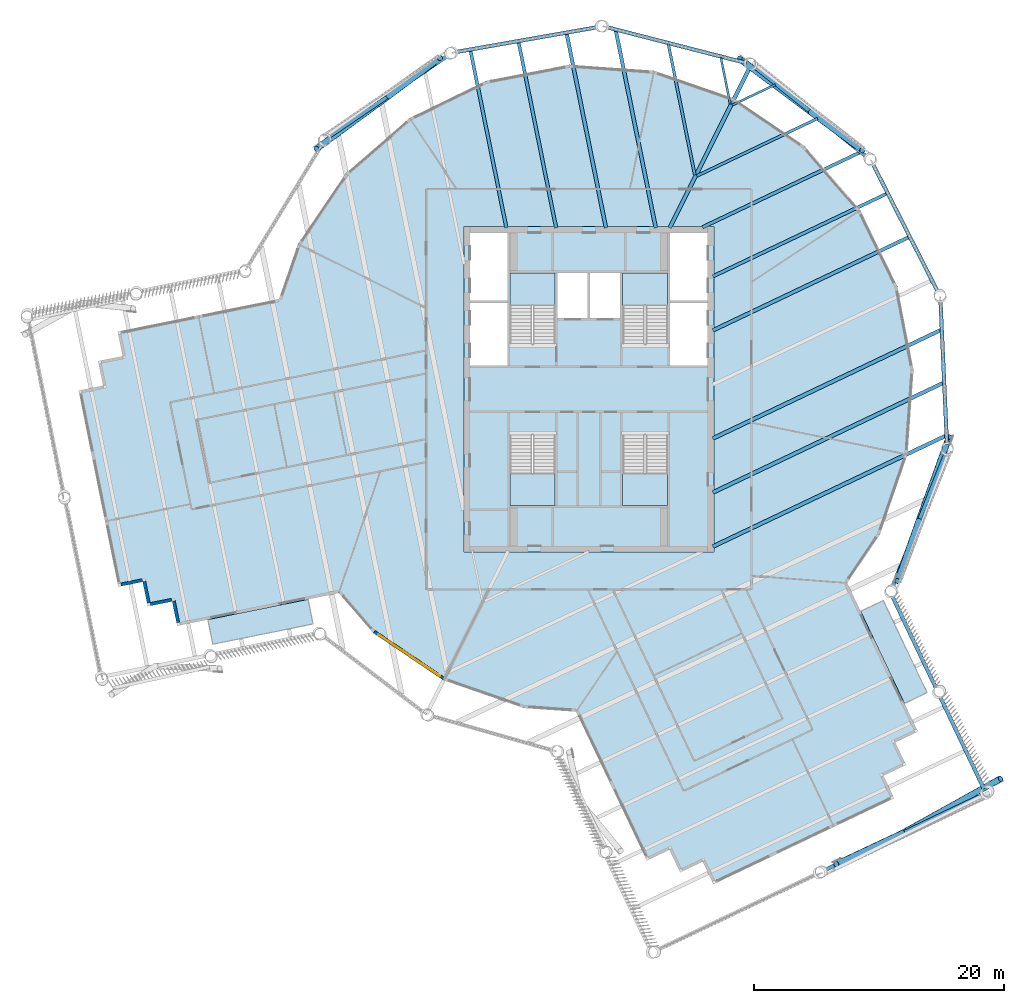
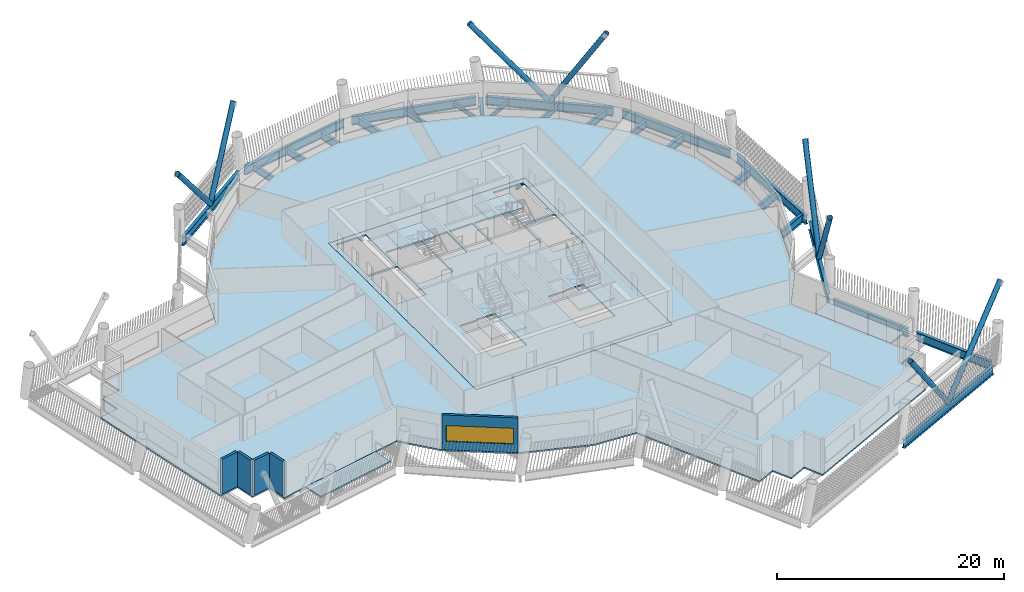
# One storey, part 2 of 21: 25 beams, 8 members, 8 slabs, 5 walls, 1 window, 1 opening, 4 elements without a shape of their own.
"""IFC4 building model written with IfcOpenShell, lengths in metres."""

from ifc_helpers import new_model, si_unit, direction, frame, frame_2d, origin, origin_2d, place, context, subcontext, project, spatial, polyline, rectangle, hollow_circle, i_section, outline, extrude, material, layer, layer_set, material_profile, profile_set, type_object, element, fill, aggregate, save


model = new_model("IFC4")

# Units and contexts
model_context = context("Model", 3, precision=1e-05, world=origin(), true_north=direction((0.0, 1.0)))
body_context = subcontext(model_context, "Body", "Model", "MODEL_VIEW")
ifc_project = project(units=[si_unit("LENGTHUNIT", "METRE"), si_unit("AREAUNIT", "SQUARE_METRE"), si_unit("VOLUMEUNIT", "CUBIC_METRE"), si_unit("PLANEANGLEUNIT", "RADIAN"), si_unit("MASSUNIT", "GRAM", prefix="KILO")], contexts=[model_context])

# Site, building, storey
site_placement = place(None, origin())
site = spatial("IfcSite", under=ifc_project, at=site_placement, CompositionType="ELEMENT")
building_placement = place(site_placement, origin())
building = spatial("IfcBuilding", under=site, at=building_placement, Name="Tarsis Ring Headquarters", CompositionType="ELEMENT")
storey_placement = place(building_placement, frame((0.0, 0.0, 331.39990234375)))
storey = spatial("IfcBuildingStorey", under=building, at=storey_placement, Name="L78", CompositionType="ELEMENT", Elevation=331.39990234375)

# Beams
ifc_material_1 = material(Name="Structural steel S355", Category="steel")
ifc_material_profile_1 = material_profile(ifc_material_1, i_section(OverallWidth=0.177734375, OverallDepth=0.406494140625, WebThickness=0.0078125, FlangeThickness=0.0126953125, at=origin_2d()), Name="W16x40")
ifc_profile_set_1 = profile_set([ifc_material_profile_1], Name="Structural steel S355")
beam_type_1 = type_object("IfcBeamType", Name="FB Floor beam W16x40", PredefinedType="JOIST", material=ifc_profile_set_1)
for number, where, z_axis, x_axis, name in (
    (1, (11.466796875, 22.729736328125, -0.363037109375), (0.903044257275, 0.429547517048, 0.0), (-0.429547517048, 0.903044257275, 0.0), "Floor beam FB1"),
    (2, (10.544921875, 26.542724609375, -0.363037109375), (0.198385923076, -0.980123984772, 0.0), (0.980123984772, 0.198385923076, 0.0), "Floor beam FB1"),
):
    element("IfcBeam", number, at=place(storey_placement, frame(where, z_axis=z_axis, x_axis=x_axis)), inside=storey, type_object=beam_type_1, Name=name, PredefinedType="JOIST", context=body_context, shape_type="SweptSolid", body=[
        extrude(i_section(OverallWidth=0.177734375, OverallDepth=0.406494140625, WebThickness=0.0078125, FlangeThickness=0.0126953125, at=origin_2d()), origin(), (0.0, 0.0, 1.0), 3.80517578125),
    ])
ifc_material_profile_2 = material_profile(ifc_material_1, i_section(OverallWidth=0.228271484375, OverallDepth=0.607177734375, WebThickness=0.01123046875, FlangeThickness=0.017333984375, at=origin_2d()), Name="W24x76")
ifc_profile_set_2 = profile_set([ifc_material_profile_2], Name="Structural steel S355")
beam_type_2 = type_object("IfcBeamType", Name="FB Floor beam W24x76", PredefinedType="JOIST", material=ifc_profile_set_2)
for number, where, z_axis, x_axis, name in (
    (3, (8.63427734375, 17.0634765625, -0.46337890625), (0.903033611573, 0.429569896955, 0.0), (-0.429569896955, 0.903033611573, 0.0), "Floor beam FB4"),
    (4, (6.347900390625, 27.619384765625, -0.46337890625), (0.198356633029, -0.980129912886, 0.0), (0.980129912886, 0.198356633029, 0.0), "Floor beam FB4"),
):
    element("IfcBeam", number, at=place(storey_placement, frame(where, z_axis=z_axis, x_axis=x_axis)), inside=storey, type_object=beam_type_2, Name=name, PredefinedType="JOIST", context=body_context, shape_type="SweptSolid", body=[
        extrude(i_section(OverallWidth=0.228271484375, OverallDepth=0.607177734375, WebThickness=0.01123046875, FlangeThickness=0.017333984375, at=origin_2d()), origin(), (0.0, 0.0, 1.0), 10.684814453125),
    ])
ifc_material_profile_3 = material_profile(ifc_material_1, i_section(OverallWidth=0.2666015625, OverallDepth=0.7568359375, WebThickness=0.013916015625, FlangeThickness=0.019287109375, at=origin_2d()), Name="W30x108")
ifc_profile_set_3 = profile_set([ifc_material_profile_3], Name="Structural steel S355")
beam_type_3 = type_object("IfcBeamType", Name="FB Floor beam W30x108", PredefinedType="JOIST", material=ifc_profile_set_3)
beam_1_placement = place(storey_placement, frame((9.08056640625, 12.95703125, -0.538330078125), z_axis=(0.903036632274, 0.429563546836, 0.0), x_axis=(-0.429563546836, 0.903036632274, 0.0)))
element("IfcBeam", 5, at=beam_1_placement, inside=storey, type_object=beam_type_3, Name="Floor beam FB6", PredefinedType="JOIST", context=body_context, shape_type="SweptSolid", body=[
    extrude(i_section(OverallWidth=0.2666015625, OverallDepth=0.7568359375, WebThickness=0.013916015625, FlangeThickness=0.019287109375, at=origin_2d()), origin(), (0.0, 0.0, 1.0), 13.93359375),
])
beam_2_placement = place(storey_placement, frame((9.90966796875, 9.03271484375, -0.538330078125), z_axis=(0.903038669812, 0.429559263459, 0.0), x_axis=(-0.429559263459, 0.903038669812, 0.0)))
element("IfcBeam", 6, at=beam_2_placement, inside=storey, type_object=beam_type_3, Name="Floor beam FB6", PredefinedType="JOIST", context=body_context, shape_type="SweptSolid", body=[
    extrude(i_section(OverallWidth=0.2666015625, OverallDepth=0.7568359375, WebThickness=0.013916015625, FlangeThickness=0.019287109375, at=origin_2d()), origin(), (0.0, 0.0, 1.0), 15.419921875),
])
beam_3_placement = place(storey_placement, frame((-5.623046875, 27.786865234375, -0.538330078125), z_axis=(0.198347740909, -0.980131712412, 0.0), x_axis=(0.980131712412, 0.198347740909, 0.0)))
element("IfcBeam", 7, at=beam_3_placement, inside=storey, type_object=beam_type_3, Name="Floor beam FB6", PredefinedType="JOIST", context=body_context, shape_type="SweptSolid", body=[
    extrude(i_section(OverallWidth=0.2666015625, OverallDepth=0.7568359375, WebThickness=0.013916015625, FlangeThickness=0.019287109375, at=origin_2d()), origin(), (0.0, 0.0, 1.0), 15.1865234375),
])
beam_4_placement = place(storey_placement, frame((-9.465576171875, 27.112548828125, -0.538330078125), z_axis=(0.198346797401, -0.980131903348, 0.0), x_axis=(0.980131903348, 0.198346797401, 0.0)))
element("IfcBeam", 8, at=beam_4_placement, inside=storey, type_object=beam_type_3, Name="Floor beam FB6", PredefinedType="JOIST", context=body_context, shape_type="SweptSolid", body=[
    extrude(i_section(OverallWidth=0.2666015625, OverallDepth=0.7568359375, WebThickness=0.013916015625, FlangeThickness=0.019287109375, at=origin_2d()), origin(), (0.0, 0.0, 1.0), 14.49853515625),
])
ifc_material_profile_4 = material_profile(ifc_material_1, i_section(OverallWidth=0.2919921875, OverallDepth=0.835693359375, WebThickness=0.013916015625, FlangeThickness=0.018798828125, at=origin_2d()), Name="W33x118")
ifc_profile_set_4 = profile_set([ifc_material_profile_4], Name="Structural steel S355")
beam_type_4 = type_object("IfcBeamType", Name="FB Floor beam W33x118", PredefinedType="JOIST", material=ifc_profile_set_4)
beam_5_placement = place(storey_placement, frame((9.90966796875, 4.7138671875, -0.57763671875), z_axis=(0.903033411053, 0.429570318483, 0.0), x_axis=(-0.429570318483, 0.903033411053, 0.0)))
element("IfcBeam", 9, at=beam_5_placement, inside=storey, type_object=beam_type_4, Name="Floor beam FB7", PredefinedType="JOIST", context=body_context, shape_type="SweptSolid", body=[
    extrude(i_section(OverallWidth=0.2919921875, OverallDepth=0.835693359375, WebThickness=0.013916015625, FlangeThickness=0.018798828125, at=origin_2d()), origin(), (0.0, 0.0, 1.0), 17.376220703125),
])
beam_6_placement = place(storey_placement, frame((2.151123046875, 28.6962890625, -0.57763671875), z_axis=(0.198335769866, -0.980134134898, 0.0), x_axis=(0.980134134898, 0.198335769866, 0.0)))
element("IfcBeam", 10, at=beam_6_placement, inside=storey, type_object=beam_type_4, Name="Floor beam FB7", PredefinedType="JOIST", context=body_context, shape_type="SweptSolid", body=[
    extrude(i_section(OverallWidth=0.2919921875, OverallDepth=0.835693359375, WebThickness=0.013916015625, FlangeThickness=0.018798828125, at=origin_2d()), origin(), (0.0, 0.0, 1.0), 16.1142578125),
])
beam_7_placement = place(storey_placement, frame((-1.780517578125, 28.461181640625, -0.57763671875), z_axis=(0.198348602635, -0.980131538026, 0.0), x_axis=(0.980131538026, 0.198348602635, 0.0)))
element("IfcBeam", 11, at=beam_7_placement, inside=storey, type_object=beam_type_4, Name="Floor beam FB7", PredefinedType="JOIST", context=body_context, shape_type="SweptSolid", body=[
    extrude(i_section(OverallWidth=0.2919921875, OverallDepth=0.835693359375, WebThickness=0.013916015625, FlangeThickness=0.018798828125, at=origin_2d()), origin(), (0.0, 0.0, 1.0), 15.87451171875),
])
ifc_material_profile_5 = material_profile(ifc_material_1, i_section(OverallWidth=0.3046875, OverallDepth=0.904296875, WebThickness=0.01513671875, FlangeThickness=0.02001953125, at=origin_2d()), Name="W36x135")
ifc_profile_set_5 = profile_set([ifc_material_profile_5], Name="Structural steel S355")
beam_type_5 = type_object("IfcBeamType", Name="FB Floor beam W36x135", PredefinedType="JOIST", material=ifc_profile_set_5)
beam_8_placement = place(storey_placement, frame((9.90966796875, -3.923583984375, -0.612060546875), z_axis=(0.903038308634, 0.429560022744, 0.0), x_axis=(-0.429560022744, 0.903038308634, 0.0)))
element("IfcBeam", 12, at=beam_8_placement, inside=storey, type_object=beam_type_5, Name="Floor beam FB8", PredefinedType="JOIST", context=body_context, shape_type="SweptSolid", body=[
    extrude(i_section(OverallWidth=0.3046875, OverallDepth=0.904296875, WebThickness=0.01513671875, FlangeThickness=0.02001953125, at=origin_2d()), origin(), (0.0, 0.0, 1.0), 20.19580078125),
])
beam_9_placement = place(storey_placement, frame((9.90966796875, -8.242431640625, -0.612060546875), z_axis=(0.903036027521, 0.429564818158, 0.0), x_axis=(-0.429564818158, 0.903036027521, 0.0)))
element("IfcBeam", 13, at=beam_9_placement, inside=storey, type_object=beam_type_5, Name="Floor beam FB8", PredefinedType="JOIST", context=body_context, shape_type="SweptSolid", body=[
    extrude(i_section(OverallWidth=0.3046875, OverallDepth=0.904296875, WebThickness=0.01513671875, FlangeThickness=0.02001953125, at=origin_2d()), origin(), (0.0, 0.0, 1.0), 20.406982421875),
])
beam_10_placement = place(storey_placement, frame((9.90966796875, -12.56103515625, -0.612060546875), z_axis=(0.903035978109, 0.429564922032, 0.0), x_axis=(-0.429564922032, 0.903035978109, 0.0)))
element("IfcBeam", 14, at=beam_10_placement, inside=storey, type_object=beam_type_5, Name="Floor beam FB8", PredefinedType="JOIST", context=body_context, shape_type="SweptSolid", body=[
    extrude(i_section(OverallWidth=0.3046875, OverallDepth=0.904296875, WebThickness=0.01513671875, FlangeThickness=0.02001953125, at=origin_2d()), origin(), (0.0, 0.0, 1.0), 20.618408203125),
])
ifc_material_profile_6 = material_profile(ifc_material_1, i_section(OverallWidth=0.309814453125, OverallDepth=0.949951171875, WebThickness=0.0244140625, FlangeThickness=0.0439453125, at=origin_2d()), Name="W36x256")
ifc_profile_set_6 = profile_set([ifc_material_profile_6], Name="Structural steel S355")
beam_type_6 = type_object("IfcBeamType", Name="FB Floor beam W36x256 spine", PredefinedType="BEAM", material=ifc_profile_set_6)
beam_11_placement = place(storey_placement, frame((12.96240234375, 25.9306640625, -0.635009765625), z_axis=(-0.447133086587, -0.894467440927, 0.0), x_axis=(0.894467440927, -0.447133086587, 0.0)))
element("IfcBeam", 15, at=beam_11_placement, inside=storey, type_object=beam_type_6, Name="Floor beam SB11", PredefinedType="BEAM", context=body_context, shape_type="SweptSolid", body=[
    extrude(i_section(OverallWidth=0.309814453125, OverallDepth=0.949951171875, WebThickness=0.0244140625, FlangeThickness=0.0439453125, at=origin_2d()), origin(), (0.0, 0.0, 1.0), 14.55615234375),
])

# Members
ifc_material_profile_7 = material_profile(ifc_material_1, hollow_circle(Radius=0.25390625, WallThickness=0.02001953125, at=origin_2d()), Name="CHS 508x20")
ifc_profile_set_7 = profile_set([ifc_material_profile_7], Name="Structural steel S355")
member_type = type_object("IfcMemberType", Name="XD X brace CHS 508x20", PredefinedType="BRACE", material=ifc_profile_set_7)
member_1_placement = place(storey_placement, frame((25.06787109375, -35.47119140625, 0.0), z_axis=(0.659351045326, 0.366356368387, 0.65653576473), x_axis=(-0.485693818812, 0.874129003276, 0.0)))
element("IfcMember", 16, at=member_1_placement, inside=storey, type_object=member_type, Name="X brace XD2", PredefinedType="BRACE", context=body_context, shape_type="SweptSolid", body=[
    extrude(hollow_circle(Radius=0.25390625, WallThickness=0.02001953125, at=origin_2d()), origin(), (0.0, 0.0, 1.0), 11.880615234375),
])
member_2_placement = place(storey_placement, frame((25.06787109375, -35.47119140625, 0.0), z_axis=(-0.54285340547, -0.255034658727, 0.80016717192), x_axis=(0.425215775157, -0.905092008891, 0.0)))
element("IfcMember", 17, at=member_2_placement, inside=storey, type_object=member_type, Name="X brace XD2", PredefinedType="BRACE", context=body_context, shape_type="SweptSolid", body=[
    extrude(hollow_circle(Radius=0.25390625, WallThickness=0.02001953125, at=origin_2d()), origin(), (0.0, 0.0, 1.0), 9.748046875),
])
member_3_placement = place(storey_placement, frame((26.37255859375, -10.526123046875, 0.0), z_axis=(0.229295740641, 0.635897220976, 0.7369248182), x_axis=(-0.940711551707, 0.339207571385, 0.0)))
element("IfcMember", 18, at=member_3_placement, inside=storey, type_object=member_type, Name="X brace XD2", PredefinedType="BRACE", context=body_context, shape_type="SweptSolid", body=[
    extrude(hollow_circle(Radius=0.25390625, WallThickness=0.02001953125, at=origin_2d()), origin(), (0.0, 0.0, 1.0), 10.58447265625),
])
member_4_placement = place(storey_placement, frame((26.37255859375, -10.526123046875, 0.0), z_axis=(-0.182239043208, -0.515531558525, 0.837267068082), x_axis=(0.942825643355, -0.333286372707, 0.0)))
element("IfcMember", 19, at=member_4_placement, inside=storey, type_object=member_type, Name="X brace XD2", PredefinedType="BRACE", context=body_context, shape_type="SweptSolid", body=[
    extrude(hollow_circle(Radius=0.25390625, WallThickness=0.02001953125, at=origin_2d()), origin(), (0.0, 0.0, 1.0), 9.316162109375),
])
member_5_placement = place(storey_placement, frame((17.76611328125, 22.151123046875, 0.0), z_axis=(-0.541259812652, 0.404941501361, 0.73692618062), x_axis=(-0.599049614508, -0.800711907841, 0.0)))
element("IfcMember", 20, at=member_5_placement, inside=storey, type_object=member_type, Name="X brace XD2", PredefinedType="BRACE", context=body_context, shape_type="SweptSolid", body=[
    extrude(hollow_circle(Radius=0.25390625, WallThickness=0.02001953125, at=origin_2d()), origin(), (0.0, 0.0, 1.0), 10.58447265625),
])
member_6_placement = place(storey_placement, frame((17.76611328125, 22.151123046875, 0.0), z_axis=(0.439877268704, -0.324778015553, 0.837273688283), x_axis=(0.593978609847, 0.804480833236, 0.0)))
element("IfcMember", 21, at=member_6_placement, inside=storey, type_object=member_type, Name="X brace XD2", PredefinedType="BRACE", context=body_context, shape_type="SweptSolid", body=[
    extrude(hollow_circle(Radius=0.25390625, WallThickness=0.02001953125, at=origin_2d()), origin(), (0.0, 0.0, 1.0), 9.31591796875),
])
member_7_placement = place(storey_placement, frame((-16.0, 23.45849609375, 0.0), z_axis=(-0.545310633595, -0.399491590131, 0.736914365651), x_axis=(0.590976035789, -0.806689113056, 0.0)))
element("IfcMember", 22, at=member_7_placement, inside=storey, type_object=member_type, Name="X brace XD2", PredefinedType="BRACE", context=body_context, shape_type="SweptSolid", body=[
    extrude(hollow_circle(Radius=0.25390625, WallThickness=0.02001953125, at=origin_2d()), origin(), (0.0, 0.0, 1.0), 10.584716796875),
])
member_8_placement = place(storey_placement, frame((-16.0, 23.45849609375, 0.0), z_axis=(0.439039498079, 0.325905521287, 0.837275289449), x_axis=(-0.596043350355, 0.802952255428, 0.0)))
element("IfcMember", 23, at=member_8_placement, inside=storey, type_object=member_type, Name="X brace XD2", PredefinedType="BRACE", context=body_context, shape_type="SweptSolid", body=[
    extrude(hollow_circle(Radius=0.25390625, WallThickness=0.02001953125, at=origin_2d()), origin(), (0.0, 0.0, 1.0), 9.31591796875),
])

# Beams
ifc_material_profile_8 = material_profile(ifc_material_1, i_section(OverallWidth=0.309814453125, OverallDepth=0.93212890625, WebThickness=0.02099609375, FlangeThickness=0.034423828125, at=origin_2d()), Name="W36x210")
ifc_profile_set_8 = profile_set([ifc_material_profile_8], Name="Structural steel S355")
beam_type_7 = type_object("IfcBeamType", Name="XG Ring girder W36x210", PredefinedType="BEAM", material=ifc_profile_set_8)
beam_12_placement = place(storey_placement, frame((18.777587890625, -38.46337890625, -0.466064453125), z_axis=(0.903037954455, 0.429560767312, 0.0), x_axis=(-0.429560767312, 0.903037954455, 0.0)))
element("IfcBeam", 24, at=beam_12_placement, inside=storey, type_object=beam_type_7, Name="Ring girder XG3", PredefinedType="BEAM", context=body_context, shape_type="SweptSolid", body=[
    extrude(i_section(OverallWidth=0.309814453125, OverallDepth=0.93212890625, WebThickness=0.02099609375, FlangeThickness=0.034423828125, at=origin_2d()), origin(), (0.0, 0.0, 1.0), 13.931396484375),
])
for number, where, z_axis, x_axis, name in (
    (25, (31.563720703125, -31.900146484375, -0.466064453125), (-0.429561955209, 0.90303738939, 0.0), (-0.90303738939, -0.429561955209, 0.0), "Ring girder XG3"),
    (26, (27.73974609375, -23.861083984375, -0.466064453125), (-0.429561955209, 0.90303738939, 0.0), (-0.90303738939, -0.429561955209, 0.0), "Ring girder XG3"),
):
    element("IfcBeam", number, at=place(storey_placement, frame(where, z_axis=z_axis, x_axis=x_axis)), inside=storey, type_object=beam_type_7, Name=name, PredefinedType="BEAM", context=body_context, shape_type="SweptSolid", body=[
        extrude(i_section(OverallWidth=0.309814453125, OverallDepth=0.93212890625, WebThickness=0.02099609375, FlangeThickness=0.034423828125, at=origin_2d()), origin(), (0.0, 0.0, 1.0), 8.03369140625),
    ])
for number, where, z_axis, x_axis, name in (
    (27, (24.26318359375, -15.810791015625, -0.466064453125), (0.370691489562, 0.928756060312, 0.0), (-0.928756060312, 0.370691489562, 0.0), "Ring girder XG3"),
    (28, (28.623291015625, -4.404296875, -0.466064453125), (-0.045094311453, 0.998982734122, 0.0), (-0.998982734122, -0.045094311453, 0.0), "Ring girder XG3"),
    (29, (27.893798828125, 7.785400390625, -0.466064453125), (-0.452834056577, 0.891594816721, 0.0), (-0.891594816721, -0.452834056577, 0.0), "Ring girder XG3"),
    (30, (22.205078125, 18.591064453125, -0.466064453125), (-0.780097998367, 0.625657344674, 0.0), (-0.625657344674, -0.780097998367, 0.0), "Ring girder XG3"),
    (31, (12.56787109375, 26.0908203125, -0.466064453125), (-0.968628652594, 0.248512642281, 0.0), (-0.248512642281, -0.968628652594, 0.0), "Ring girder XG3"),
):
    element("IfcBeam", number, at=place(storey_placement, frame(where, z_axis=z_axis, x_axis=x_axis)), inside=storey, type_object=beam_type_7, Name=name, PredefinedType="BEAM", context=body_context, shape_type="SweptSolid", body=[
        extrude(i_section(OverallWidth=0.309814453125, OverallDepth=0.93212890625, WebThickness=0.02099609375, FlangeThickness=0.034423828125, at=origin_2d()), origin(), (0.0, 0.0, 1.0), 11.380126953125),
    ])
beam_13_placement = place(storey_placement, frame((0.6962890625, 28.95166015625, -0.466064453125), z_axis=(-0.984948760059, -0.172846579539, 0.0), x_axis=(0.172846579539, -0.984948760059, 0.0)))
element("IfcBeam", 32, at=beam_13_placement, inside=storey, type_object=beam_type_7, Name="Ring girder XG3", PredefinedType="BEAM", context=body_context, shape_type="SweptSolid", body=[
    extrude(i_section(OverallWidth=0.309814453125, OverallDepth=0.93212890625, WebThickness=0.02099609375, FlangeThickness=0.034423828125, at=origin_2d()), origin(), (0.0, 0.0, 1.0), 11.38037109375),
])
beam_14_placement = place(storey_placement, frame((-11.29931640625, 26.664794921875, -0.466064453125), z_axis=(-0.826138827076, -0.563466625806, 0.0), x_axis=(0.563466625806, -0.826138827076, 0.0)))
element("IfcBeam", 33, at=beam_14_placement, inside=storey, type_object=beam_type_7, Name="Ring girder XG3", PredefinedType="BEAM", context=body_context, shape_type="SweptSolid", body=[
    extrude(i_section(OverallWidth=0.309814453125, OverallDepth=0.93212890625, WebThickness=0.02099609375, FlangeThickness=0.034423828125, at=origin_2d()), origin(), (0.0, 0.0, 1.0), 11.380126953125),
])

# Slabs
ifc_material_2 = material(Name="Concrete C40/50", Category="concrete")
ifc_layer_1 = layer(ifc_material_2, 0.159912109375)
ifc_layer_set_1 = layer_set([ifc_layer_1], Name="Balcony slab concrete C40/50")
slab_type_1 = type_object("IfcSlabType", Name="Balcony slab concrete C40/50", PredefinedType="FLOOR", material=ifc_layer_set_1)
slab_1_placement = place(storey_placement, frame((0.0, 0.0, -0.159912109375)))
element("IfcSlab", 34, at=slab_1_placement, inside=storey, type_object=slab_type_1, Name="Balcony slab L78-01", PredefinedType="FLOOR", context=body_context, shape_type="SweptSolid", body=[
    extrude(outline(polyline([(-30.454345703125, -18.406005859375), (-30.0576171875, -20.3662109375), (-22.048095703125, -18.745361328125), (-22.44482421875, -16.78515625), (-30.454345703125, -18.406005859375)])), origin(), (0.0, 0.0, 1.0), 0.159912109375),
])
slab_2_placement = place(storey_placement, frame((0.0, 0.0, -0.159912109375)))
element("IfcSlab", 35, at=slab_2_placement, inside=storey, type_object=slab_type_1, Name="Balcony slab L78-16", PredefinedType="FLOOR", context=body_context, shape_type="SweptSolid", body=[
    extrude(outline(polyline([(25.226806640625, -25.096923828125), (27.032958984375, -24.23779296875), (23.531494140625, -16.876953125), (21.725341796875, -17.736083984375), (25.226806640625, -25.096923828125)])), origin(), (0.0, 0.0, 1.0), 0.159912109375),
])
ifc_layer_2 = layer(ifc_material_2, 0.159912109375)
ifc_layer_set_2 = layer_set([ifc_layer_2], Name="Core floor slab 160 C40/50")
slab_type_2 = type_object("IfcSlabType", Name="Core floor slab 160 C40/50", PredefinedType="FLOOR", material=ifc_layer_set_2)
slab_3_placement = place(storey_placement, frame((0.0, 0.0, -0.159912109375)))
element("IfcSlab", 36, at=slab_3_placement, inside=storey, type_object=slab_type_2, Name="L78 core floor slab", PredefinedType="FLOOR", context=body_context, shape_type="SweptSolid", body=[
    extrude(outline(polyline([(-10.0, -13.0), (10.0, -13.0), (10.0, 13.0), (-10.0, 13.0), (-10.0, -13.0)]), holes=[polyline([(-2.5, 5.699951171875), (-0.10009765625, 5.699951171875), (-0.10009765625, 9.300048828125), (-2.5, 9.300048828125), (-2.5, 5.699951171875)]), polyline([(0.10009765625, 5.699951171875), (2.5, 5.699951171875), (2.5, 9.300048828125), (0.10009765625, 9.300048828125), (0.10009765625, 5.699951171875)]), polyline([(-9.5, 1.89990234375), (-6.5, 1.89990234375), (-6.5, 6.89990234375), (-9.5, 6.89990234375), (-9.5, 1.89990234375)]), polyline([(-9.5, 7.10009765625), (-6.5, 7.10009765625), (-6.5, 12.5), (-9.5, 12.5), (-9.5, 7.10009765625)]), polyline([(6.5, 1.89990234375), (9.5, 1.89990234375), (9.5, 6.89990234375), (6.5, 6.89990234375), (6.5, 1.89990234375)]), polyline([(6.5, 7.10009765625), (9.5, 7.10009765625), (9.5, 12.5), (6.5, 12.5), (6.5, 7.10009765625)]), polyline([(-2.699951171875, 3.760009765625), (-2.699951171875, 9.300048828125), (-6.300048828125, 9.300048828125), (-6.300048828125, 3.659912109375), (-4.4599609375, 3.659912109375), (-4.4599609375, 3.760009765625), (-2.699951171875, 3.760009765625)]), polyline([(6.300048828125, 3.760009765625), (6.300048828125, 9.300048828125), (2.699951171875, 9.300048828125), (2.699951171875, 3.659912109375), (4.5400390625, 3.659912109375), (4.5400390625, 3.760009765625), (6.300048828125, 3.760009765625)]), polyline([(-6.300048828125, -3.760009765625), (-6.300048828125, -9.300048828125), (-2.699951171875, -9.300048828125), (-2.699951171875, -3.659912109375), (-4.5400390625, -3.659912109375), (-4.5400390625, -3.760009765625), (-6.300048828125, -3.760009765625)]), polyline([(2.699951171875, -3.760009765625), (2.699951171875, -9.300048828125), (6.300048828125, -9.300048828125), (6.300048828125, -3.659912109375), (4.4599609375, -3.659912109375), (4.4599609375, -3.760009765625), (2.699951171875, -3.760009765625)])]), origin(), (0.0, 0.0, 1.0), 0.159912109375),
])

# Stair, slab
ifc_material_3 = material(Name="Core stair 1760")
stair_type = type_object("IfcStairType", Name="Core stair 1760", PredefinedType="HALF_TURN_STAIR", material=ifc_material_3)
stair_1_placement = place(storey_placement, origin())
stair_1 = element("IfcStair", 37, at=stair_1_placement, inside=storey, type_object=stair_type, Name="L78 Firefighting stair", PredefinedType="HALF_TURN_STAIR")
ifc_layer_3 = layer(ifc_material_2, 0.199951171875)
ifc_layer_set_3 = layer_set([ifc_layer_3], Name="Core stair landing 200")
slab_type_3 = type_object("IfcSlabType", Name="Core stair landing 200", PredefinedType="LANDING", material=ifc_layer_set_3)
slab_4_placement = place(storey_placement, frame((0.0, 0.0, 1.75)))
slab_4 = element("IfcSlab", 38, at=slab_4_placement, type_object=slab_type_3, Name="Stair ST1 landing 1", PredefinedType="LANDING", context=body_context, shape_type="SweptSolid", body=[
    extrude(outline(polyline([(-2.699951171875, 6.739990234375), (-2.699951171875, 9.300048828125), (-6.300048828125, 9.300048828125), (-6.300048828125, 6.739990234375), (-2.699951171875, 6.739990234375)])), origin(), (0.0, 0.0, 1.0), 0.2001953125),
])
aggregate(stair_1, [slab_4])

stair_2_placement = place(storey_placement, origin())
stair_2 = element("IfcStair", 39, at=stair_2_placement, inside=storey, type_object=stair_type, Name="L78 Exit stair B", PredefinedType="HALF_TURN_STAIR")
slab_5_placement = place(storey_placement, frame((0.0, 0.0, 1.75)))
slab_5 = element("IfcSlab", 40, at=slab_5_placement, type_object=slab_type_3, Name="Stair ST2 landing 1", PredefinedType="LANDING", context=body_context, shape_type="SweptSolid", body=[
    extrude(outline(polyline([(6.300048828125, 6.739990234375), (6.300048828125, 9.300048828125), (2.699951171875, 9.300048828125), (2.699951171875, 6.739990234375), (6.300048828125, 6.739990234375)])), origin(), (0.0, 0.0, 1.0), 0.2001953125),
])
aggregate(stair_2, [slab_5])

stair_3_placement = place(storey_placement, origin())
stair_3 = element("IfcStair", 41, at=stair_3_placement, inside=storey, type_object=stair_type, Name="L78 Exit stair C", PredefinedType="HALF_TURN_STAIR")
slab_6_placement = place(storey_placement, frame((0.0, 0.0, 1.75)))
slab_6 = element("IfcSlab", 42, at=slab_6_placement, type_object=slab_type_3, Name="Stair ST3 landing 1", PredefinedType="LANDING", context=body_context, shape_type="SweptSolid", body=[
    extrude(outline(polyline([(-6.300048828125, -6.739990234375), (-6.300048828125, -9.300048828125), (-2.699951171875, -9.300048828125), (-2.699951171875, -6.739990234375), (-6.300048828125, -6.739990234375)])), origin(), (0.0, 0.0, 1.0), 0.2001953125),
])
aggregate(stair_3, [slab_6])

stair_4_placement = place(storey_placement, origin())
stair_4 = element("IfcStair", 43, at=stair_4_placement, inside=storey, type_object=stair_type, Name="L78 Exit stair D", PredefinedType="HALF_TURN_STAIR")
slab_7_placement = place(storey_placement, frame((0.0, 0.0, 1.75)))
slab_7 = element("IfcSlab", 44, at=slab_7_placement, type_object=slab_type_3, Name="Stair ST4 landing 1", PredefinedType="LANDING", context=body_context, shape_type="SweptSolid", body=[
    extrude(outline(polyline([(2.699951171875, -6.739990234375), (2.699951171875, -9.300048828125), (6.300048828125, -9.300048828125), (6.300048828125, -6.739990234375), (2.699951171875, -6.739990234375)])), origin(), (0.0, 0.0, 1.0), 0.2001953125),
])
aggregate(stair_4, [slab_7])

# Slab
ifc_material_4 = material(Name="Concrete C35/45", Category="concrete")
ifc_layer_4 = layer(ifc_material_4, 0.159912109375)
ifc_layer_set_4 = layer_set([ifc_layer_4], Name="FS Composite floor slab 160")
slab_type_4 = type_object("IfcSlabType", Name="FS Composite floor slab 160", PredefinedType="FLOOR", material=ifc_layer_set_4)
slab_8_placement = place(storey_placement, frame((0.0, 0.0, -0.159912109375)))
element("IfcSlab", 45, at=slab_8_placement, inside=storey, type_object=slab_type_4, Name="Floor slab L78", PredefinedType="FLOOR", context=body_context, shape_type="SweptSolid", body=[
    extrude(outline(polyline([(-19.994384765625, -16.289306640625), (-17.24853515625, -19.454833984375), (-11.62548828125, -23.256103515625), (-5.210205078125, -25.47265625), (-1.0302734375, -25.769287109375), (4.6279296875, -37.6640625), (6.43408203125, -36.804931640625), (7.293212890625, -38.611083984375), (9.09912109375, -37.751953125), (9.958251953125, -39.557861328125), (24.406982421875, -32.684814453125), (23.5478515625, -30.87890625), (25.353759765625, -30.019775390625), (24.49462890625, -28.213623046875), (26.30078125, -27.3544921875), (20.6513671875, -15.478515625), (23.256103515625, -11.62548828125), (25.47265625, -5.210205078125), (25.953125, 1.56005859375), (24.6650390625, 8.22412109375), (21.696044921875, 14.32763671875), (17.24853515625, 19.454833984375), (11.62548828125, 23.256103515625), (5.210205078125, 25.47265625), (-1.56005859375, 25.953125), (-8.22412109375, 24.6650390625), (-14.32763671875, 21.696044921875), (-19.454833984375, 17.24853515625), (-23.256103515625, 11.62548828125), (-24.77490234375, 7.229736328125), (-37.664794921875, 4.621337890625), (-37.268310546875, 2.6611328125), (-39.228515625, 2.264404296875), (-38.831787109375, 0.30419921875), (-40.7919921875, -0.092529296875), (-37.61865234375, -15.774658203125), (-35.658203125, -15.3779296875), (-35.26171875, -17.33837890625), (-33.30126953125, -16.941650390625), (-32.90478515625, -18.90185546875), (-19.994384765625, -16.289306640625)]), holes=[polyline([(-10.0, -13.0), (-10.0, 13.0), (10.0, 13.0), (10.0, -13.0), (-10.0, -13.0)])]), origin(), (0.0, 0.0, 1.0), 0.159912109375),
])

# Wall, opening, window
ifc_material_5 = material(Name="Terracotta clad insulated panel wall", Category="masonry")
ifc_layer_5 = layer(ifc_material_5, 0.25)
ifc_layer_set_5 = layer_set([ifc_layer_5], Name="Facade wall terracotta panel 250")
wall_type = type_object("IfcWallType", Name="Facade wall terracotta panel 250", PredefinedType="STANDARD", material=ifc_layer_set_5)
wall_placement = place(storey_placement, frame((-17.151123046875, -19.36962890625, 0.0), z_axis=(0.0, 0.0, 1.0), x_axis=(0.828450956871, -0.560061614521, 0.0)))
wall = element("IfcWall", 46, at=wall_placement, inside=storey, type_object=wall_type, Name="External wall L78-03", PredefinedType="STANDARD", context=body_context, shape_type="SweptSolid", body=[
    extrude(rectangle(XDim=6.721435546875, YDim=0.25, at=frame_2d((3.36083984375, 0.0))), origin(), (0.0, 0.0, 1.0), 3.739990234375),
])
opening_placement = place(wall_placement, frame((0.3857421875, 0.0, 0.89990234375)))
opening = element("IfcOpeningElement", 47, at=opening_placement, cuts=wall, Name="Opening WN07", PredefinedType="OPENING", context=body_context, shape_type="SweptSolid", body=[
    extrude(rectangle(XDim=5.949951171875, YDim=1.699951171875, at=frame_2d((2.97509765625, 0.85009765625))), frame((0.0, 0.135009765625, 0.0), z_axis=(0.0, -1.0, 0.0), x_axis=(1.0, 0.0, 0.0)), (0.0, 0.0, 1.0), 0.27001953125),
])
ifc_material_6 = material(Name="Aluminium framed double glazing", Category="aluminium")
window_type = type_object("IfcWindowType", Name="Facade window 5950 x 1700", PartitioningType="SINGLE_PANEL", PredefinedType="WINDOW", material=ifc_material_6)
window_placement = place(opening_placement, origin())
window = element("IfcWindow", 48, at=window_placement, inside=storey, type_object=window_type, Name="Window L78-03.1", OverallHeight=1.699951171875, OverallWidth=5.949951171875, PartitioningType="SINGLE_PANEL", PredefinedType="WINDOW", context=body_context, shape_type="SweptSolid", body=[
    extrude(rectangle(XDim=5.949951171875, YDim=1.699951171875, at=frame_2d((2.97509765625, 0.85009765625))), frame((0.0, 0.030029296875, 0.0), z_axis=(0.0, -1.0, 0.0), x_axis=(1.0, 0.0, 0.0)), (0.0, 0.0, 1.0), 0.06005859375),
])
fill(opening, window)

# Walls
for number, where, z_axis, x_axis, name in (
    (49, (-37.3984375, -15.6025390625, 0.0), (0.0, 0.0, 1.0), (0.980154508031, 0.198235063466, 0.0), "External wall L78-37"),
    (50, (-35.535888671875, -15.353271484375, 0.0), (0.0, 0.0, 1.0), (0.198369079716, -0.980127393869, 0.0), "External wall L78-38"),
    (51, (-35.04150390625, -17.166259765625, 0.0), (0.0, 0.0, 1.0), (0.980127393869, 0.198369079716, 0.0), "External wall L78-39"),
    (52, (-33.178955078125, -16.916748046875, 0.0), (0.0, 0.0, 1.0), (0.198369079716, -0.980127393869, 0.0), "External wall L78-40"),
):
    element("IfcWall", number, at=place(storey_placement, frame(where, z_axis=z_axis, x_axis=x_axis)), inside=storey, type_object=wall_type, Name=name, PredefinedType="STANDARD", context=body_context, shape_type="SweptSolid", body=[
        extrude(rectangle(XDim=1.75, YDim=0.25, at=frame_2d((0.875, 0.0))), origin(), (0.0, 0.0, 1.0), 3.739990234375),
    ])

save(model, "model.ifc")
